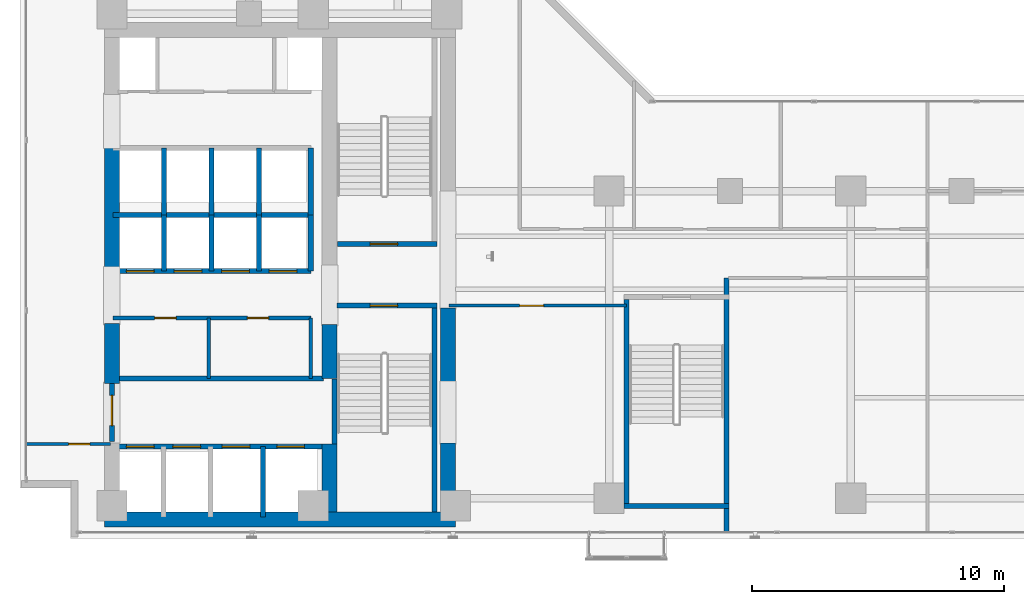
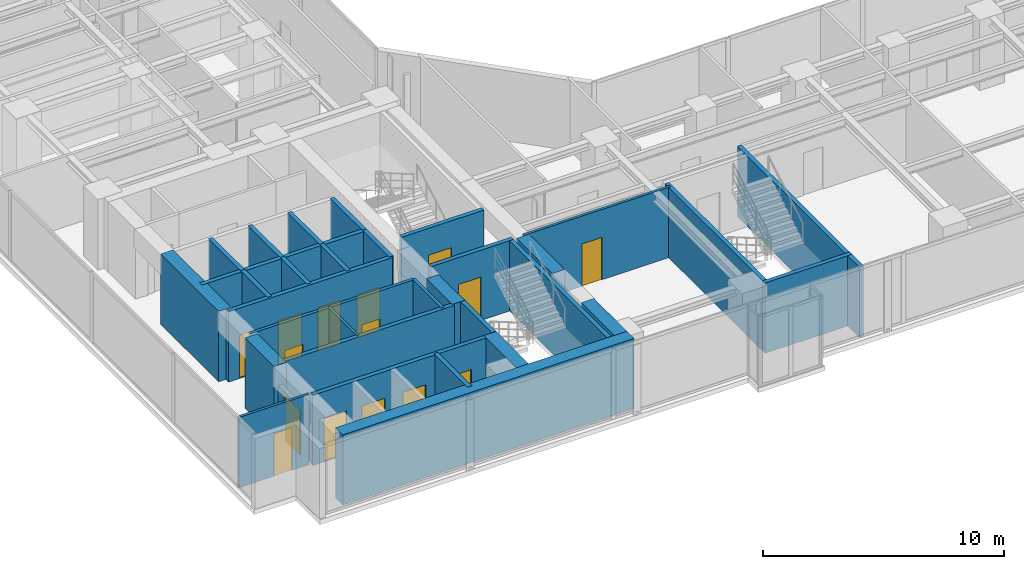
# One storey, part 19 of 24: 33 walls, 15 doors, 15 openings.
"""IFC4 building model written with IfcOpenShell, lengths in metres."""

from ifc_helpers import new_model, si_unit, direction, frame, frame_2d, origin, place, context, subcontext, project, spatial, rectangle, extrude, material, layer, layer_set, type_object, element, fill, save


model = new_model("IFC4")

# Units and contexts
model_context = context("Model", 3, precision=1e-05, world=origin(), true_north=direction((0.0, 1.0)))
body_context = subcontext(model_context, "Body", "Model", "MODEL_VIEW")
ifc_project = project(units=[si_unit("LENGTHUNIT", "METRE"), si_unit("AREAUNIT", "SQUARE_METRE"), si_unit("VOLUMEUNIT", "CUBIC_METRE"), si_unit("PLANEANGLEUNIT", "RADIAN"), si_unit("MASSUNIT", "GRAM", prefix="KILO")], contexts=[model_context])

# Site, building, storey
site_placement = place(None, origin())
site = spatial("IfcSite", under=ifc_project, at=site_placement, CompositionType="ELEMENT")
building_placement = place(site_placement, origin())
building = spatial("IfcBuilding", under=site, at=building_placement, Name="Kolvaren Waterfront Exchange", CompositionType="ELEMENT")
storey_placement = place(building_placement, frame((0.0, 0.0, 153.800048828125)))
storey = spatial("IfcBuildingStorey", under=building, at=storey_placement, Name="L39", CompositionType="ELEMENT", Elevation=153.800048828125)

# Wall, opening, door
ifc_material_1 = material(Name="Precast concrete C40/50", Category="concrete")
ifc_layer_1 = layer(ifc_material_1, 0.199951171875, Name="Precast concrete C40/50")
ifc_layer_set_1 = layer_set([ifc_layer_1], Name="Precast concrete C40/50")
wall_type_1 = type_object("IfcWallType", Name="ARC-FIRE-200", PredefinedType="PARTITIONING", material=ifc_layer_set_1)
wall_1_placement = place(storey_placement, frame((16.39990234375, 12.85009765625, 0.0), z_axis=(0.0, 0.0, 1.0), x_axis=(1.0, 0.0, 0.0)))
wall_1 = element("IfcWall", 1, at=wall_1_placement, inside=storey, type_object=wall_type_1, Name="L39 interior wall PW-L39-ST1-THROAT-S", PredefinedType="PARTITIONING", context=body_context, shape_type="SweptSolid", body=[
    extrude(rectangle(XDim=3.960205078125, YDim=0.199951171875, at=frame_2d((1.97998046875, 0.0))), origin(), (0.0, 0.0, 1.0), 3.56005859375),
])
opening_1_placement = place(wall_1_placement, frame((1.3037109375, 0.0, 0.0)))
opening_1 = element("IfcOpeningElement", 2, at=opening_1_placement, cuts=wall_1, Name="Opening FD2", PredefinedType="OPENING", context=body_context, shape_type="SweptSolid", body=[
    extrude(rectangle(XDim=1.10009765625, YDim=2.199951171875, at=frame_2d((0.550048828125, 1.10009765625))), frame((0.0, 0.10986328125, 0.0), z_axis=(0.0, -1.0, 0.0), x_axis=(1.0, 0.0, 0.0)), (0.0, 0.0, 1.0), 0.219970703125),
])
ifc_material_2 = material(Name="Pressed steel smoke-seal fire door", Category="steel")
door_type_1 = type_object("IfcDoorType", Name="ARC-FD-1100", OperationType="NOTDEFINED", PredefinedType="DOOR", material=ifc_material_2)
door_1_placement = place(opening_1_placement, frame((1.10009765625, 0.0, 0.0), z_axis=(0.0, 0.0, 1.0), x_axis=(-1.0, 0.0, 0.0)))
door_1 = element("IfcDoor", 3, at=door_1_placement, inside=storey, type_object=door_type_1, Name="L39 door DR-L39-ST1-IN (FD2)", OperationType="SINGLE_SWING_LEFT", OverallHeight=2.199951171875, OverallWidth=1.10009765625, PredefinedType="DOOR", context=body_context, shape_type="SweptSolid", body=[
    extrude(rectangle(XDim=1.10009765625, YDim=2.199951171875, at=frame_2d((0.550048828125, 1.10009765625))), frame((0.0, 0.02490234375, 0.0), z_axis=(0.0, -1.0, 0.0), x_axis=(1.0, 0.0, 0.0)), (0.0, 0.0, 1.0), 0.050048828125),
])
fill(opening_1, door_1)

wall_2_placement = place(storey_placement, frame((16.409912109375, 15.300048828125, 0.0), z_axis=(0.0, 0.0, 1.0), x_axis=(1.0, 0.0, 0.0)))
wall_2 = element("IfcWall", 4, at=wall_2_placement, inside=storey, type_object=wall_type_1, Name="L39 interior wall PW-L39-ST2-THROAT-N", PredefinedType="PARTITIONING", context=body_context, shape_type="SweptSolid", body=[
    extrude(rectangle(XDim=3.9501953125, YDim=0.199951171875, at=frame_2d((1.97509765625, 0.0))), origin(), (0.0, 0.0, 1.0), 3.56005859375),
])
opening_2_placement = place(wall_2_placement, frame((1.293701171875, 0.0, 0.0)))
opening_2 = element("IfcOpeningElement", 5, at=opening_2_placement, cuts=wall_2, Name="Opening FD2", PredefinedType="OPENING", context=body_context, shape_type="SweptSolid", body=[
    extrude(rectangle(XDim=1.10009765625, YDim=2.199951171875, at=frame_2d((0.550048828125, 1.10009765625))), frame((0.0, 0.10986328125, 0.0), z_axis=(0.0, -1.0, 0.0), x_axis=(1.0, 0.0, 0.0)), (0.0, 0.0, 1.0), 0.219970703125),
])
door_2_placement = place(opening_2_placement, origin())
door_2 = element("IfcDoor", 6, at=door_2_placement, inside=storey, type_object=door_type_1, Name="L39 door DR-L39-ST2-IN (FD2)", OperationType="SINGLE_SWING_RIGHT", OverallHeight=2.199951171875, OverallWidth=1.10009765625, PredefinedType="DOOR", context=body_context, shape_type="SweptSolid", body=[
    extrude(rectangle(XDim=1.10009765625, YDim=2.199951171875, at=frame_2d((0.550048828125, 1.10009765625))), frame((0.0, 0.02490234375, 0.0), z_axis=(0.0, -1.0, 0.0), x_axis=(1.0, 0.0, 0.0)), (0.0, 0.0, 1.0), 0.050048828125),
])
fill(opening_2, door_2)

# Wall
wall_3_placement = place(storey_placement, frame((7.5, 9.949951171875, 0.0), z_axis=(0.0, 0.0, 1.0), x_axis=(1.0, 0.0, 0.0)))
element("IfcWall", 7, at=wall_3_placement, inside=storey, type_object=wall_type_1, Name="L39 interior wall PW-L39-FF-N", PredefinedType="PARTITIONING", context=body_context, shape_type="SweptSolid", body=[
    extrude(rectangle(XDim=8.35009765625, YDim=0.199951171875, at=frame_2d((4.175048828125, 0.0))), origin(), (0.0, 0.0, 1.0), 3.56005859375),
])

# Wall, opening, door
wall_4_placement = place(storey_placement, frame((7.449951171875, 7.449951171875, 0.0), z_axis=(0.0, 0.0, 1.0), x_axis=(0.0, 1.0, 0.0)))
wall_4 = element("IfcWall", 8, at=wall_4_placement, inside=storey, type_object=wall_type_1, Name="L39 interior wall PW-L39-FF-W-DOOR", PredefinedType="PARTITIONING", context=body_context, shape_type="SweptSolid", body=[
    extrude(rectangle(XDim=2.300048828125, YDim=0.199951171875, at=frame_2d((1.14990234375, 0.0))), origin(), (0.0, 0.0, 1.0), 2.5400390625),
])
opening_3_placement = place(wall_4_placement, frame((0.63330078125, 0.0, 0.0)))
opening_3 = element("IfcOpeningElement", 9, at=opening_3_placement, cuts=wall_4, Name="Opening FD3", PredefinedType="OPENING", context=body_context, shape_type="SweptSolid", body=[
    extrude(rectangle(XDim=1.199951171875, YDim=2.25, at=frame_2d((0.60009765625, 1.125))), frame((0.0, 0.10986328125, 0.0), z_axis=(0.0, -1.0, 0.0), x_axis=(1.0, 0.0, 0.0)), (0.0, 0.0, 1.0), 0.219970703125),
])
ifc_material_3 = material(Name="Pressed steel fire door", Category="steel")
door_type_2 = type_object("IfcDoorType", Name="ARC-FD-1200", OperationType="NOTDEFINED", PredefinedType="DOOR", material=ifc_material_3)
door_3_placement = place(opening_3_placement, frame((1.199951171875, 0.0, 0.0), z_axis=(0.0, 0.0, 1.0), x_axis=(-1.0, 0.0, 0.0)))
door_3 = element("IfcDoor", 10, at=door_3_placement, inside=storey, type_object=door_type_2, Name="L39 door DR-L39-FF-OUT (FD3)", OperationType="SINGLE_SWING_RIGHT", OverallHeight=2.25, OverallWidth=1.199951171875, PredefinedType="DOOR", context=body_context, shape_type="SweptSolid", body=[
    extrude(rectangle(XDim=1.199951171875, YDim=2.25, at=frame_2d((0.60009765625, 1.125))), frame((0.0, 0.02490234375, 0.0), z_axis=(0.0, -1.0, 0.0), x_axis=(1.0, 0.0, 0.0)), (0.0, 0.0, 1.0), 0.050048828125),
])
fill(opening_3, door_3)

# Wall
ifc_material_4 = material(Name="Acoustic gypsum steel stud", Category="steel")
ifc_layer_2 = layer(ifc_material_4, 0.125, Name="Acoustic gypsum steel stud")
ifc_layer_set_2 = layer_set([ifc_layer_2], Name="Acoustic gypsum steel stud")
wall_type_2 = type_object("IfcWallType", Name="ARC-PART-125", PredefinedType="PARTITIONING", material=ifc_layer_set_2)
wall_5_placement = place(storey_placement, frame((11.300048828125, 9.949951171875, 0.0), z_axis=(0.0, 0.0, 1.0), x_axis=(0.0, 1.0, 0.0)))
element("IfcWall", 11, at=wall_5_placement, inside=storey, type_object=wall_type_2, Name="L39 interior wall PW-L39-REC-PL-MID", PredefinedType="PARTITIONING", context=body_context, shape_type="SweptSolid", body=[
    extrude(rectangle(XDim=2.41015625, YDim=0.125, at=frame_2d((1.205078125, 0.0))), origin(), (0.0, 0.0, 1.0), 3.56005859375),
])

# Wall, opening, door
wall_6_placement = place(storey_placement, frame((4.0400390625, 7.35009765625, 0.0), z_axis=(0.0, 0.0, 1.0), x_axis=(1.0, 0.0, 0.0)))
wall_6 = element("IfcWall", 12, at=wall_6_placement, inside=storey, type_object=wall_type_2, Name="L39 interior wall PW-L39-SWC-N", PredefinedType="PARTITIONING", context=body_context, shape_type="SweptSolid", body=[
    extrude(rectangle(XDim=3.35986328125, YDim=0.125, at=frame_2d((1.679931640625, 0.0))), origin(), (0.0, 0.0, 1.0), 3.56005859375),
])
opening_4_placement = place(wall_6_placement, frame((1.686767578125, 0.0, 0.0)))
opening_4 = element("IfcOpeningElement", 13, at=opening_4_placement, cuts=wall_6, Name="Opening D01", PredefinedType="OPENING", context=body_context, shape_type="SweptSolid", body=[
    extrude(rectangle(XDim=0.85009765625, YDim=2.14990234375, at=frame_2d((0.425048828125, 1.074951171875))), frame((0.0, 0.072509765625, 0.0), z_axis=(0.0, -1.0, 0.0), x_axis=(1.0, 0.0, 0.0)), (0.0, 0.0, 1.0), 0.14501953125),
])
ifc_material_5 = material(Name="Oak veneer timber leaf", Category="wood")
door_type_3 = type_object("IfcDoorType", Name="ARC-DR-900", OperationType="NOTDEFINED", PredefinedType="DOOR", material=ifc_material_5)
door_4_placement = place(opening_4_placement, origin())
door_4 = element("IfcDoor", 14, at=door_4_placement, inside=storey, type_object=door_type_3, Name="L39 door DR-L39-SWC-D (D01)", OperationType="SINGLE_SWING_RIGHT", OverallHeight=2.14990234375, OverallWidth=0.85009765625, PredefinedType="DOOR", context=body_context, shape_type="SweptSolid", body=[
    extrude(rectangle(XDim=0.85009765625, YDim=2.14990234375, at=frame_2d((0.425048828125, 1.074951171875))), frame((0.0, 0.02490234375, 0.0), z_axis=(0.0, -1.0, 0.0), x_axis=(1.0, 0.0, 0.0)), (0.0, 0.0, 1.0), 0.050048828125),
])
fill(opening_4, door_4)

wall_7_placement = place(storey_placement, frame((20.85009765625, 12.85009765625, 0.0), z_axis=(0.0, 0.0, 1.0), x_axis=(1.0, 0.0, 0.0)))
wall_7 = element("IfcWall", 15, at=wall_7_placement, inside=storey, type_object=wall_type_2, Name="L39 interior wall PW-L39-SWST3-N", PredefinedType="PARTITIONING", context=body_context, shape_type="SweptSolid", body=[
    extrude(rectangle(XDim=7.0498046875, YDim=0.125, at=frame_2d((3.52490234375, 0.0))), origin(), (0.0, 0.0, 1.0), 3.56005859375),
])
opening_5_placement = place(wall_7_placement, frame((2.800048828125, 0.0, 0.0)))
opening_5 = element("IfcOpeningElement", 16, at=opening_5_placement, cuts=wall_7, Name="Opening D02", PredefinedType="OPENING", context=body_context, shape_type="SweptSolid", body=[
    extrude(rectangle(XDim=0.949951171875, YDim=2.14990234375, at=frame_2d((0.47509765625, 1.074951171875))), frame((0.0, 0.072509765625, 0.0), z_axis=(0.0, -1.0, 0.0), x_axis=(1.0, 0.0, 0.0)), (0.0, 0.0, 1.0), 0.14501953125),
])
ifc_material_6 = material(Name="Oak veneer acoustic timber", Category="wood")
door_type_4 = type_object("IfcDoorType", Name="ARC-DR-950", OperationType="NOTDEFINED", PredefinedType="DOOR", material=ifc_material_6)
door_5_placement = place(opening_5_placement, origin())
door_5 = element("IfcDoor", 17, at=door_5_placement, inside=storey, type_object=door_type_4, Name="L39 door DR-L39-SWST3-D (D02)", OperationType="SINGLE_SWING_LEFT", OverallHeight=2.14990234375, OverallWidth=0.949951171875, PredefinedType="DOOR", context=body_context, shape_type="SweptSolid", body=[
    extrude(rectangle(XDim=0.949951171875, YDim=2.14990234375, at=frame_2d((0.47509765625, 1.074951171875))), frame((0.0, 0.02490234375, 0.0), z_axis=(0.0, -1.0, 0.0), x_axis=(1.0, 0.0, 0.0)), (0.0, 0.0, 1.0), 0.050048828125),
])
fill(opening_5, door_5)

# Wall, openings, doors
ifc_material_7 = material(Name="Gypsum fireboard steel stud", Category="steel")
ifc_layer_3 = layer(ifc_material_7, 0.14990234375, Name="Gypsum fireboard steel stud")
ifc_layer_set_3 = layer_set([ifc_layer_3], Name="Gypsum fireboard steel stud")
wall_type_3 = type_object("IfcWallType", Name="ARC-PART-150", PredefinedType="PARTITIONING", material=ifc_layer_set_3)
wall_8_placement = place(storey_placement, frame((7.5, 12.360107421875, 0.0), z_axis=(0.0, 0.0, 1.0), x_axis=(1.0, 0.0, 0.0)))
wall_8 = element("IfcWall", 18, at=wall_8_placement, inside=storey, type_object=wall_type_3, Name="L39 interior wall PW-L39-REC-PL-N", PredefinedType="PARTITIONING", context=body_context, shape_type="SweptSolid", body=[
    extrude(rectangle(XDim=7.85009765625, YDim=0.14990234375, at=frame_2d((3.925048828125, 0.0))), origin(), (0.0, 0.0, 1.0), 3.56005859375),
])
opening_6_placement = place(wall_8_placement, frame((1.64990234375, 0.0, 0.0)))
opening_6 = element("IfcOpeningElement", 19, at=opening_6_placement, cuts=wall_8, Name="Opening D01", PredefinedType="OPENING", context=body_context, shape_type="SweptSolid", body=[
    extrude(rectangle(XDim=0.85009765625, YDim=2.14990234375, at=frame_2d((0.425048828125, 1.074951171875))), frame((0.0, 0.0849609375, 0.0), z_axis=(0.0, -1.0, 0.0), x_axis=(1.0, 0.0, 0.0)), (0.0, 0.0, 1.0), 0.169921875),
])
opening_7_placement = place(wall_8_placement, frame((5.329345703125, 0.0, 0.0)))
opening_7 = element("IfcOpeningElement", 20, at=opening_7_placement, cuts=wall_8, Name="Opening D01", PredefinedType="OPENING", context=body_context, shape_type="SweptSolid", body=[
    extrude(rectangle(XDim=0.85009765625, YDim=2.14990234375, at=frame_2d((0.425048828125, 1.074951171875))), frame((0.0, 0.0849609375, 0.0), z_axis=(0.0, -1.0, 0.0), x_axis=(1.0, 0.0, 0.0)), (0.0, 0.0, 1.0), 0.169921875),
])
door_6_placement = place(opening_6_placement, origin())
door_6 = element("IfcDoor", 21, at=door_6_placement, inside=storey, type_object=door_type_3, Name="L39 door DR-L39-REC-PL-D1 (D01)", OperationType="SINGLE_SWING_LEFT", OverallHeight=2.14990234375, OverallWidth=0.85009765625, PredefinedType="DOOR", context=body_context, shape_type="SweptSolid", body=[
    extrude(rectangle(XDim=0.85009765625, YDim=2.14990234375, at=frame_2d((0.425048828125, 1.074951171875))), frame((0.0, 0.02490234375, 0.0), z_axis=(0.0, -1.0, 0.0), x_axis=(1.0, 0.0, 0.0)), (0.0, 0.0, 1.0), 0.050048828125),
])
fill(opening_6, door_6)
door_7_placement = place(opening_7_placement, origin())
door_7 = element("IfcDoor", 22, at=door_7_placement, inside=storey, type_object=door_type_3, Name="L39 door DR-L39-REC-PL-D2 (D01)", OperationType="SINGLE_SWING_RIGHT", OverallHeight=2.14990234375, OverallWidth=0.85009765625, PredefinedType="DOOR", context=body_context, shape_type="SweptSolid", body=[
    extrude(rectangle(XDim=0.85009765625, YDim=2.14990234375, at=frame_2d((0.425048828125, 1.074951171875))), frame((0.0, 0.02490234375, 0.0), z_axis=(0.0, -1.0, 0.0), x_axis=(1.0, 0.0, 0.0)), (0.0, 0.0, 1.0), 0.050048828125),
])
fill(opening_7, door_7)

# Walls
wall_9_placement = place(storey_placement, frame((15.35009765625, 9.949951171875, 0.0), z_axis=(0.0, 0.0, 1.0), x_axis=(0.0, 1.0, 0.0)))
element("IfcWall", 23, at=wall_9_placement, inside=storey, type_object=wall_type_3, Name="L39 interior wall PW-L39-REC-PL-E", PredefinedType="PARTITIONING", context=body_context, shape_type="SweptSolid", body=[
    extrude(rectangle(XDim=2.41015625, YDim=0.14990234375, at=frame_2d((1.205078125, 0.0))), origin(), (0.0, 0.0, 1.0), 3.56005859375),
])
ifc_material_8 = material(Name="Concrete C40/50", Category="concrete")
ifc_layer_4 = layer(ifc_material_8, 0.199951171875, Name="Concrete C40/50")
ifc_layer_set_4 = layer_set([ifc_layer_4], Name="Concrete C40/50")
wall_type_4 = type_object("IfcWallType", Name="ARC-SHAFT-200", PredefinedType="PARTITIONING", material=ifc_layer_set_4)
wall_10_placement = place(storey_placement, frame((16.300048828125, 7.360107421875, 0.0), z_axis=(0.0, 0.0, 1.0), x_axis=(0.0, 1.0, 0.0)))
element("IfcWall", 24, at=wall_10_placement, inside=storey, type_object=wall_type_4, Name="L39 structural stairwell wall PW-L39-ST1-W", PredefinedType="SHEAR", context=body_context, shape_type="SweptSolid", body=[
    extrude(rectangle(XDim=2.579833984375, YDim=0.199951171875, at=frame_2d((1.2900390625, 0.0))), origin(), (0.0, 0.0, 1.0), 3.56005859375),
])
wall_11_placement = place(storey_placement, frame((20.260009765625, 4.659912109375, 0.0), z_axis=(0.0, 0.0, 1.0), x_axis=(0.0, 1.0, 0.0)))
element("IfcWall", 25, at=wall_11_placement, inside=storey, type_object=wall_type_4, Name="L39 structural stairwell wall PW-L39-ST1-E", PredefinedType="SHEAR", context=body_context, shape_type="SweptSolid", body=[
    extrude(rectangle(XDim=8.090087890625, YDim=0.199951171875, at=frame_2d((4.044921875, 0.0))), origin(), (0.0, 0.0, 1.0), 3.56005859375),
])
wall_12_placement = place(storey_placement, frame((27.89990234375, 5.0, 0.0), z_axis=(0.0, 0.0, 1.0), x_axis=(0.0, 1.0, 0.0)))
element("IfcWall", 26, at=wall_12_placement, inside=storey, type_object=wall_type_4, Name="L39 structural stairwell wall PW-L39-ST3-W", PredefinedType="SHEAR", context=body_context, shape_type="SweptSolid", body=[
    extrude(rectangle(XDim=8.10009765625, YDim=0.199951171875, at=frame_2d((4.050048828125, 0.0))), origin(), (0.0, 0.0, 1.0), 3.56005859375),
])
wall_13_placement = place(storey_placement, frame((31.860107421875, 3.840087890625, 0.0), z_axis=(0.0, 0.0, 1.0), x_axis=(0.0, 1.0, 0.0)))
element("IfcWall", 27, at=wall_13_placement, inside=storey, type_object=wall_type_4, Name="L39 structural stairwell wall PW-L39-ST3-E", PredefinedType="SHEAR", context=body_context, shape_type="SweptSolid", body=[
    extrude(rectangle(XDim=10.10986328125, YDim=0.199951171875, at=frame_2d((5.054931640625, 0.0))), origin(), (0.0, 0.0, 1.0), 3.56005859375),
])
wall_14_placement = place(storey_placement, frame((27.800048828125, 4.89990234375, 0.0), z_axis=(0.0, 0.0, 1.0), x_axis=(1.0, 0.0, 0.0)))
element("IfcWall", 28, at=wall_14_placement, inside=storey, type_object=wall_type_4, Name="L39 structural stairwell wall PW-L39-ST3-S", PredefinedType="SHEAR", context=body_context, shape_type="SweptSolid", body=[
    extrude(rectangle(XDim=4.159912109375, YDim=0.199951171875, at=frame_2d((2.080078125, 0.0))), origin(), (0.0, 0.0, 1.0), 3.56005859375),
])

# Wall, openings, doors
wall_15_placement = place(storey_placement, frame((7.5, 7.25, 0.0), z_axis=(0.0, 0.0, 1.0), x_axis=(1.0, 0.0, 0.0)))
wall_15 = element("IfcWall", 29, at=wall_15_placement, inside=storey, type_object=wall_type_4, Name="L39 interior wall PW-L39-FF-S", PredefinedType="PARTITIONING", context=body_context, shape_type="SweptSolid", body=[
    extrude(rectangle(XDim=8.35009765625, YDim=0.199951171875, at=frame_2d((4.175048828125, 0.0))), origin(), (0.0, 0.0, 1.0), 3.56005859375),
])
opening_8_placement = place(wall_15_placement, frame((0.530029296875, 0.0, 0.0)))
opening_8 = element("IfcOpeningElement", 30, at=opening_8_placement, cuts=wall_15, Name="Opening LD1", PredefinedType="OPENING", context=body_context, shape_type="SweptSolid", body=[
    extrude(rectangle(XDim=1.10009765625, YDim=2.199951171875, at=frame_2d((0.550048828125, 1.10009765625))), frame((0.0, 0.10986328125, 0.0), z_axis=(0.0, -1.0, 0.0), x_axis=(1.0, 0.0, 0.0)), (0.0, 0.0, 1.0), 0.219970703125),
])
opening_9_placement = place(wall_15_placement, frame((2.3701171875, 0.0, 0.0)))
opening_9 = element("IfcOpeningElement", 31, at=opening_9_placement, cuts=wall_15, Name="Opening LD1", PredefinedType="OPENING", context=body_context, shape_type="SweptSolid", body=[
    extrude(rectangle(XDim=1.10009765625, YDim=2.199951171875, at=frame_2d((0.550048828125, 1.10009765625))), frame((0.0, 0.10986328125, 0.0), z_axis=(0.0, -1.0, 0.0), x_axis=(1.0, 0.0, 0.0)), (0.0, 0.0, 1.0), 0.219970703125),
])
opening_10_placement = place(wall_15_placement, frame((4.330078125, 0.0, 0.0)))
opening_10 = element("IfcOpeningElement", 32, at=opening_10_placement, cuts=wall_15, Name="Opening LD1", PredefinedType="OPENING", context=body_context, shape_type="SweptSolid", body=[
    extrude(rectangle(XDim=1.10009765625, YDim=2.199951171875, at=frame_2d((0.550048828125, 1.10009765625))), frame((0.0, 0.10986328125, 0.0), z_axis=(0.0, -1.0, 0.0), x_axis=(1.0, 0.0, 0.0)), (0.0, 0.0, 1.0), 0.219970703125),
])
opening_11_placement = place(wall_15_placement, frame((6.5, 0.0, 0.0)))
opening_11 = element("IfcOpeningElement", 33, at=opening_11_placement, cuts=wall_15, Name="Opening LD1", PredefinedType="OPENING", context=body_context, shape_type="SweptSolid", body=[
    extrude(rectangle(XDim=1.10009765625, YDim=2.199951171875, at=frame_2d((0.550048828125, 1.10009765625))), frame((0.0, 0.10986328125, 0.0), z_axis=(0.0, -1.0, 0.0), x_axis=(1.0, 0.0, 0.0)), (0.0, 0.0, 1.0), 0.219970703125),
])
ifc_material_9 = material(Name="Stainless steel sliding landing door", Category="steel")
door_type_5 = type_object("IfcDoorType", Name="ARC-LD-FF", OperationType="SLIDING_TO_LEFT", PredefinedType="DOOR", material=ifc_material_9)
door_8_placement = place(opening_8_placement, origin())
door_8 = element("IfcDoor", 34, at=door_8_placement, inside=storey, type_object=door_type_5, Name="L39 door LD-L39-FFL1 (LD1)", OperationType="SLIDING_TO_LEFT", OverallHeight=2.199951171875, OverallWidth=1.10009765625, PredefinedType="DOOR", context=body_context, shape_type="SweptSolid", body=[
    extrude(rectangle(XDim=1.10009765625, YDim=2.199951171875, at=frame_2d((0.550048828125, 1.10009765625))), frame((0.0, 0.02490234375, 0.0), z_axis=(0.0, -1.0, 0.0), x_axis=(1.0, 0.0, 0.0)), (0.0, 0.0, 1.0), 0.050048828125),
])
fill(opening_8, door_8)
door_9_placement = place(opening_9_placement, origin())
door_9 = element("IfcDoor", 35, at=door_9_placement, inside=storey, type_object=door_type_5, Name="L39 door LD-L39-FFL2 (LD1)", OperationType="SLIDING_TO_LEFT", OverallHeight=2.199951171875, OverallWidth=1.10009765625, PredefinedType="DOOR", context=body_context, shape_type="SweptSolid", body=[
    extrude(rectangle(XDim=1.10009765625, YDim=2.199951171875, at=frame_2d((0.550048828125, 1.10009765625))), frame((0.0, 0.02490234375, 0.0), z_axis=(0.0, -1.0, 0.0), x_axis=(1.0, 0.0, 0.0)), (0.0, 0.0, 1.0), 0.050048828125),
])
fill(opening_9, door_9)
door_10_placement = place(opening_10_placement, origin())
door_10 = element("IfcDoor", 36, at=door_10_placement, inside=storey, type_object=door_type_5, Name="L39 door LD-L39-GL1 (LD1)", OperationType="SLIDING_TO_LEFT", OverallHeight=2.199951171875, OverallWidth=1.10009765625, PredefinedType="DOOR", context=body_context, shape_type="SweptSolid", body=[
    extrude(rectangle(XDim=1.10009765625, YDim=2.199951171875, at=frame_2d((0.550048828125, 1.10009765625))), frame((0.0, 0.02490234375, 0.0), z_axis=(0.0, -1.0, 0.0), x_axis=(1.0, 0.0, 0.0)), (0.0, 0.0, 1.0), 0.050048828125),
])
fill(opening_10, door_10)
door_11_placement = place(opening_11_placement, origin())
door_11 = element("IfcDoor", 37, at=door_11_placement, inside=storey, type_object=door_type_5, Name="L39 door LD-L39-GL2 (LD1)", OperationType="SLIDING_TO_LEFT", OverallHeight=2.199951171875, OverallWidth=1.10009765625, PredefinedType="DOOR", context=body_context, shape_type="SweptSolid", body=[
    extrude(rectangle(XDim=1.10009765625, YDim=2.199951171875, at=frame_2d((0.550048828125, 1.10009765625))), frame((0.0, 0.02490234375, 0.0), z_axis=(0.0, -1.0, 0.0), x_axis=(1.0, 0.0, 0.0)), (0.0, 0.0, 1.0), 0.050048828125),
])
fill(opening_11, door_11)

# Wall
wall_16_placement = place(storey_placement, frame((13.4599609375, 4.449951171875, 0.0), z_axis=(0.0, 0.0, 1.0), x_axis=(0.0, 1.0, 0.0)))
element("IfcWall", 38, at=wall_16_placement, inside=storey, type_object=wall_type_4, Name="L39 interior wall PW-L39-SH1-DIV-134", PredefinedType="PARTITIONING", context=body_context, shape_type="SweptSolid", body=[
    extrude(rectangle(XDim=2.800048828125, YDim=0.199951171875, at=frame_2d((1.39990234375, 0.0))), origin(), (0.0, 0.0, 1.0), 3.56005859375),
])

# Wall, openings, doors
wall_17_placement = place(storey_placement, frame((7.5, 14.219970703125, 0.0), z_axis=(0.0, 0.0, 1.0), x_axis=(1.0, 0.0, 0.0)))
wall_17 = element("IfcWall", 39, at=wall_17_placement, inside=storey, type_object=wall_type_4, Name="L39 interior wall PW-L39-PM-S", PredefinedType="PARTITIONING", context=body_context, shape_type="SweptSolid", body=[
    extrude(rectangle(XDim=7.85009765625, YDim=0.199951171875, at=frame_2d((3.925048828125, 0.0))), origin(), (0.0, 0.0, 1.0), 3.56005859375),
])
opening_12_placement = place(wall_17_placement, frame((0.530029296875, 0.0, 0.0)))
opening_12 = element("IfcOpeningElement", 40, at=opening_12_placement, cuts=wall_17, Name="Opening LD2", PredefinedType="OPENING", context=body_context, shape_type="SweptSolid", body=[
    extrude(rectangle(XDim=1.10009765625, YDim=2.199951171875, at=frame_2d((0.550048828125, 1.10009765625))), frame((0.0, 0.10986328125, 0.0), z_axis=(0.0, -1.0, 0.0), x_axis=(1.0, 0.0, 0.0)), (0.0, 0.0, 1.0), 0.219970703125),
])
opening_13_placement = place(wall_17_placement, frame((2.419921875, 0.0, 0.0)))
opening_13 = element("IfcOpeningElement", 41, at=opening_13_placement, cuts=wall_17, Name="Opening LD2", PredefinedType="OPENING", context=body_context, shape_type="SweptSolid", body=[
    extrude(rectangle(XDim=1.10009765625, YDim=2.199951171875, at=frame_2d((0.550048828125, 1.10009765625))), frame((0.0, 0.10986328125, 0.0), z_axis=(0.0, -1.0, 0.0), x_axis=(1.0, 0.0, 0.0)), (0.0, 0.0, 1.0), 0.219970703125),
])
opening_14_placement = place(wall_17_placement, frame((4.31005859375, 0.0, 0.0)))
opening_14 = element("IfcOpeningElement", 42, at=opening_14_placement, cuts=wall_17, Name="Opening LD2", PredefinedType="OPENING", context=body_context, shape_type="SweptSolid", body=[
    extrude(rectangle(XDim=1.10009765625, YDim=2.199951171875, at=frame_2d((0.550048828125, 1.10009765625))), frame((0.0, 0.10986328125, 0.0), z_axis=(0.0, -1.0, 0.0), x_axis=(1.0, 0.0, 0.0)), (0.0, 0.0, 1.0), 0.219970703125),
])
opening_15_placement = place(wall_17_placement, frame((6.199951171875, 0.0, 0.0)))
opening_15 = element("IfcOpeningElement", 43, at=opening_15_placement, cuts=wall_17, Name="Opening LD2", PredefinedType="OPENING", context=body_context, shape_type="SweptSolid", body=[
    extrude(rectangle(XDim=1.10009765625, YDim=2.199951171875, at=frame_2d((0.550048828125, 1.10009765625))), frame((0.0, 0.10986328125, 0.0), z_axis=(0.0, -1.0, 0.0), x_axis=(1.0, 0.0, 0.0)), (0.0, 0.0, 1.0), 0.219970703125),
])
ifc_material_10 = material(Name="Brushed bronze sliding landing door", Category="aluminium")
door_type_6 = type_object("IfcDoorType", Name="ARC-LD-PAX", OperationType="SLIDING_TO_LEFT", PredefinedType="DOOR", material=ifc_material_10)
door_12_placement = place(opening_12_placement, frame((1.10009765625, 0.0, 0.0), z_axis=(0.0, 0.0, 1.0), x_axis=(-1.0, 0.0, 0.0)))
door_12 = element("IfcDoor", 44, at=door_12_placement, inside=storey, type_object=door_type_6, Name="L39 door LD-L39-PM1 (LD2)", OperationType="SLIDING_TO_LEFT", OverallHeight=2.199951171875, OverallWidth=1.10009765625, PredefinedType="DOOR", context=body_context, shape_type="SweptSolid", body=[
    extrude(rectangle(XDim=1.10009765625, YDim=2.199951171875, at=frame_2d((0.550048828125, 1.10009765625))), frame((0.0, 0.02490234375, 0.0), z_axis=(0.0, -1.0, 0.0), x_axis=(1.0, 0.0, 0.0)), (0.0, 0.0, 1.0), 0.050048828125),
])
fill(opening_12, door_12)
door_13_placement = place(opening_13_placement, frame((1.10009765625, 0.0, 0.0), z_axis=(0.0, 0.0, 1.0), x_axis=(-1.0, 0.0, 0.0)))
door_13 = element("IfcDoor", 45, at=door_13_placement, inside=storey, type_object=door_type_6, Name="L39 door LD-L39-PM2 (LD2)", OperationType="SLIDING_TO_LEFT", OverallHeight=2.199951171875, OverallWidth=1.10009765625, PredefinedType="DOOR", context=body_context, shape_type="SweptSolid", body=[
    extrude(rectangle(XDim=1.10009765625, YDim=2.199951171875, at=frame_2d((0.550048828125, 1.10009765625))), frame((0.0, 0.02490234375, 0.0), z_axis=(0.0, -1.0, 0.0), x_axis=(1.0, 0.0, 0.0)), (0.0, 0.0, 1.0), 0.050048828125),
])
fill(opening_13, door_13)
door_14_placement = place(opening_14_placement, frame((1.10009765625, 0.0, 0.0), z_axis=(0.0, 0.0, 1.0), x_axis=(-1.0, 0.0, 0.0)))
door_14 = element("IfcDoor", 46, at=door_14_placement, inside=storey, type_object=door_type_6, Name="L39 door LD-L39-PM3 (LD2)", OperationType="SLIDING_TO_LEFT", OverallHeight=2.199951171875, OverallWidth=1.10009765625, PredefinedType="DOOR", context=body_context, shape_type="SweptSolid", body=[
    extrude(rectangle(XDim=1.10009765625, YDim=2.199951171875, at=frame_2d((0.550048828125, 1.10009765625))), frame((0.0, 0.02490234375, 0.0), z_axis=(0.0, -1.0, 0.0), x_axis=(1.0, 0.0, 0.0)), (0.0, 0.0, 1.0), 0.050048828125),
])
fill(opening_14, door_14)
door_15_placement = place(opening_15_placement, frame((1.10009765625, 0.0, 0.0), z_axis=(0.0, 0.0, 1.0), x_axis=(-1.0, 0.0, 0.0)))
door_15 = element("IfcDoor", 47, at=door_15_placement, inside=storey, type_object=door_type_6, Name="L39 door LD-L39-PM4 (LD2)", OperationType="SLIDING_TO_LEFT", OverallHeight=2.199951171875, OverallWidth=1.10009765625, PredefinedType="DOOR", context=body_context, shape_type="SweptSolid", body=[
    extrude(rectangle(XDim=1.10009765625, YDim=2.199951171875, at=frame_2d((0.550048828125, 1.10009765625))), frame((0.0, 0.02490234375, 0.0), z_axis=(0.0, -1.0, 0.0), x_axis=(1.0, 0.0, 0.0)), (0.0, 0.0, 1.0), 0.050048828125),
])
fill(opening_15, door_15)

# Walls
wall_18_placement = place(storey_placement, frame((7.5, 16.449951171875, 0.0), z_axis=(0.0, 0.0, 1.0), x_axis=(1.0, 0.0, 0.0)))
element("IfcWall", 48, at=wall_18_placement, inside=storey, type_object=wall_type_4, Name="L39 interior wall PW-L39-PM-N", PredefinedType="PARTITIONING", context=body_context, shape_type="SweptSolid", body=[
    extrude(rectangle(XDim=7.85009765625, YDim=0.199951171875, at=frame_2d((3.925048828125, 0.0))), origin(), (0.0, 0.0, 1.0), 3.56005859375),
])
for number, where, z_axis, x_axis, name in (
    (49, (15.35009765625, 14.219970703125, 0.0), (0.0, 0.0, 1.0), (0.0, 1.0, 0.0), "L39 interior wall PW-L39-PM-E"),
    (50, (9.52001953125, 14.219970703125, 0.0), (0.0, 0.0, 1.0), (0.0, 1.0, 0.0), "L39 interior wall PW-L39-SH3-DIV-95"),
    (51, (11.409912109375, 14.219970703125, 0.0), (0.0, 0.0, 1.0), (0.0, 1.0, 0.0), "L39 interior wall PW-L39-SH3-DIV-114"),
    (52, (13.300048828125, 14.219970703125, 0.0), (0.0, 0.0, 1.0), (0.0, 1.0, 0.0), "L39 interior wall PW-L39-SH3-DIV-133"),
):
    element("IfcWall", number, at=place(storey_placement, frame(where, z_axis=z_axis, x_axis=x_axis)), inside=storey, type_object=wall_type_4, Name=name, PredefinedType="PARTITIONING", context=body_context, shape_type="SweptSolid", body=[
        extrude(rectangle(XDim=2.22998046875, YDim=0.199951171875, at=frame_2d((1.114990234375, 0.0))), origin(), (0.0, 0.0, 1.0), 3.56005859375),
    ])
for number, where, z_axis, x_axis, name in (
    (53, (15.35009765625, 16.449951171875, 0.0), (0.0, 0.0, 1.0), (0.0, 1.0, 0.0), "L39 interior wall PW-L39-PH-E"),
    (54, (9.52001953125, 16.449951171875, 0.0), (0.0, 0.0, 1.0), (0.0, 1.0, 0.0), "L39 interior wall PW-L39-SH4-DIV-95"),
    (55, (11.409912109375, 16.449951171875, 0.0), (0.0, 0.0, 1.0), (0.0, 1.0, 0.0), "L39 interior wall PW-L39-SH4-DIV-114"),
    (56, (13.300048828125, 16.449951171875, 0.0), (0.0, 0.0, 1.0), (0.0, 1.0, 0.0), "L39 interior wall PW-L39-SH4-DIV-133"),
):
    element("IfcWall", number, at=place(storey_placement, frame(where, z_axis=z_axis, x_axis=x_axis)), inside=storey, type_object=wall_type_4, Name=name, PredefinedType="PARTITIONING", context=body_context, shape_type="SweptSolid", body=[
        extrude(rectangle(XDim=2.670166015625, YDim=0.199951171875, at=frame_2d((1.3349609375, 0.0))), origin(), (0.0, 0.0, 1.0), 3.56005859375),
    ])
ifc_material_11 = material(Name="Concrete C60/75", Category="concrete")
ifc_layer_5 = layer(ifc_material_11, 0.60009765625, Name="Concrete C60/75")
ifc_layer_set_5 = layer_set([ifc_layer_5], Name="Concrete C60/75")
wall_type_5 = type_object("IfcWallType", Name="STR-CWALL-600", PredefinedType="SHEAR", material=ifc_layer_set_5)
wall_19_placement = place(storey_placement, frame((7.14990234375, 4.35009765625, 0.0), z_axis=(0.0, 0.0, 1.0), x_axis=(1.0, 0.0, 0.0)))
element("IfcWall", 57, at=wall_19_placement, inside=storey, type_object=wall_type_5, Name="L39 rear-core shear wall S", PredefinedType="SHEAR", context=body_context, shape_type="SweptSolid", body=[
    extrude(rectangle(XDim=13.9501953125, YDim=0.60009765625, at=frame_2d((6.97509765625, 0.0))), origin(), (0.0, 0.0, 1.0), 3.56005859375),
])
wall_20_placement = place(storey_placement, frame((7.449951171875, 9.75, 0.0), z_axis=(0.0, 0.0, 1.0), x_axis=(0.0, 1.0, 0.0)))
element("IfcWall", 58, at=wall_20_placement, inside=storey, type_object=wall_type_5, Name="L39 rear-core shear wall W2A", PredefinedType="SHEAR", context=body_context, shape_type="SweptSolid", body=[
    extrude(rectangle(XDim=2.39990234375, YDim=0.60009765625, at=frame_2d((1.199951171875, 0.0))), origin(), (0.0, 0.0, 1.0), 3.56005859375),
])
wall_21_placement = place(storey_placement, frame((7.449951171875, 14.35009765625, 0.0), z_axis=(0.0, 0.0, 1.0), x_axis=(0.0, 1.0, 0.0)))
element("IfcWall", 59, at=wall_21_placement, inside=storey, type_object=wall_type_5, Name="L39 rear-core shear wall W2B", PredefinedType="SHEAR", context=body_context, shape_type="SweptSolid", body=[
    extrude(rectangle(XDim=4.809814453125, YDim=0.60009765625, at=frame_2d((2.40478515625, 0.0))), origin(), (0.0, 0.0, 1.0), 3.56005859375),
])
wall_22_placement = place(storey_placement, frame((20.800048828125, 4.64990234375, 0.0), z_axis=(0.0, 0.0, 1.0), x_axis=(0.0, 1.0, 0.0)))
element("IfcWall", 60, at=wall_22_placement, inside=storey, type_object=wall_type_5, Name="L39 rear-core shear wall E1", PredefinedType="SHEAR", context=body_context, shape_type="SweptSolid", body=[
    extrude(rectangle(XDim=2.75, YDim=0.60009765625, at=frame_2d((1.375, 0.0))), origin(), (0.0, 0.0, 1.0), 3.56005859375),
])
wall_23_placement = place(storey_placement, frame((20.800048828125, 9.800048828125, 0.0), z_axis=(0.0, 0.0, 1.0), x_axis=(0.0, 1.0, 0.0)))
element("IfcWall", 61, at=wall_23_placement, inside=storey, type_object=wall_type_5, Name="L39 rear-core shear wall E2", PredefinedType="SHEAR", context=body_context, shape_type="SweptSolid", body=[
    extrude(rectangle(XDim=2.949951171875, YDim=0.60009765625, at=frame_2d((1.47509765625, 0.0))), origin(), (0.0, 0.0, 1.0), 3.56005859375),
])
wall_24_placement = place(storey_placement, frame((16.10009765625, 4.64990234375, 0.0), z_axis=(0.0, 0.0, 1.0), x_axis=(0.0, 1.0, 0.0)))
element("IfcWall", 62, at=wall_24_placement, inside=storey, type_object=wall_type_5, Name="L39 rear-core shear wall M1", PredefinedType="SHEAR", context=body_context, shape_type="SweptSolid", body=[
    extrude(rectangle(XDim=2.7001953125, YDim=0.60009765625, at=frame_2d((1.35009765625, 0.0))), origin(), (0.0, 0.0, 1.0), 3.56005859375),
])
wall_25_placement = place(storey_placement, frame((16.10009765625, 9.949951171875, 0.0), z_axis=(0.0, 0.0, 1.0), x_axis=(0.0, 1.0, 0.0)))
element("IfcWall", 63, at=wall_25_placement, inside=storey, type_object=wall_type_5, Name="L39 rear-core shear wall M2", PredefinedType="SHEAR", context=body_context, shape_type="SweptSolid", body=[
    extrude(rectangle(XDim=2.150146484375, YDim=0.60009765625, at=frame_2d((1.0751953125, 0.0))), origin(), (0.0, 0.0, 1.0), 3.56005859375),
])

save(model, "model.ifc")
